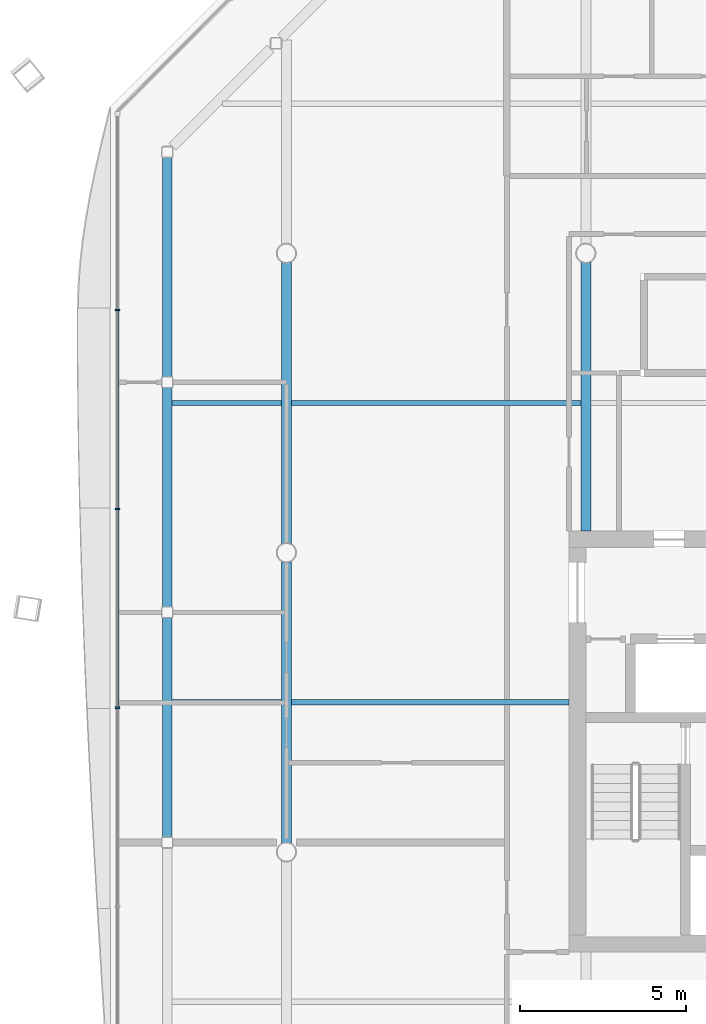
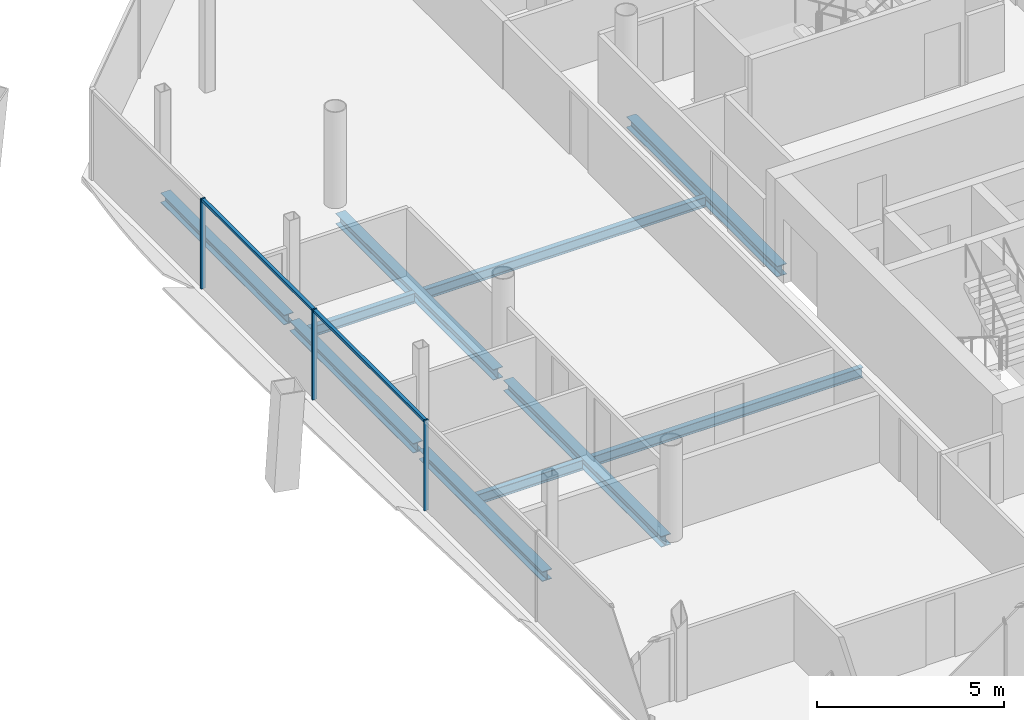
# One storey, part 6 of 20: 10 beams, 5 members, 1 element without a shape of its own.
"""IFC4 building model written with IfcOpenShell, lengths in metres."""

from ifc_helpers import new_model, si_unit, direction, frame, origin, origin_2d, place, context, subcontext, project, spatial, rectangle, i_section, extrude, material, material_profile, profile_set, type_object, element, aggregate, save


model = new_model("IFC4")

# Units and contexts
model_context = context("Model", 3, precision=1e-05, world=origin(), true_north=direction((0.0, 1.0)))
body_context = subcontext(model_context, "Body", "Model", "MODEL_VIEW")
ifc_project = project(units=[si_unit("LENGTHUNIT", "METRE"), si_unit("AREAUNIT", "SQUARE_METRE"), si_unit("VOLUMEUNIT", "CUBIC_METRE"), si_unit("PLANEANGLEUNIT", "RADIAN"), si_unit("MASSUNIT", "GRAM", prefix="KILO")], contexts=[model_context])

# Site, building, storey
site_placement = place(None, origin())
site = spatial("IfcSite", under=ifc_project, at=site_placement, CompositionType="ELEMENT")
building_placement = place(site_placement, origin())
building = spatial("IfcBuilding", under=site, at=building_placement, Name="Tskaro Facet Tower", CompositionType="ELEMENT")
storey_placement = place(building_placement, frame((0.0, 0.0, 197.39990234375)))
storey = spatial("IfcBuildingStorey", under=building, at=storey_placement, Name="L50", CompositionType="ELEMENT", Elevation=197.39990234375)

# Curtain wall, members
ifc_material_1 = material(Name="Bronze anodised aluminium 6063-T6", Category="aluminium")
curtain_wall_type = type_object("IfcCurtainWallType", Name="Bronze residence curtain wall (FW3)", PredefinedType="NOTDEFINED", material=ifc_material_1)
curtain_wall_placement = place(storey_placement, origin())
curtain_wall = element("IfcCurtainWall", 1, at=curtain_wall_placement, inside=storey, type_object=curtain_wall_type, Name="FW3 west facet L50", PredefinedType="NOTDEFINED")
ifc_material_profile_1 = material_profile(ifc_material_1, rectangle(XDim=0.050048828125, YDim=0.139892578125, at=origin_2d()), Name="Mullion 50x140")
ifc_profile_set_1 = profile_set([ifc_material_profile_1], Name="Bronze anodised aluminium 6063-T6")
member_type_1 = type_object("IfcMemberType", Name="FW3 bronze mullion 50x140", PredefinedType="MULLION", material=ifc_profile_set_1)
member_1_placement = place(storey_placement, frame((-23.080078125, 7.29248046875, 0.0), z_axis=(0.0, 0.0, 1.0), x_axis=(0.0, -1.0, 0.0)))
member_1 = element("IfcMember", 2, at=member_1_placement, type_object=member_type_1, Name="FW3 west mullion 1", PredefinedType="MULLION", context=body_context, shape_type="SweptSolid", body=[
    extrude(rectangle(XDim=0.050048828125, YDim=0.139892578125, at=origin_2d()), origin(), (0.0, 0.0, 1.0), 2.9501953125),
])
member_2_placement = place(storey_placement, frame((-23.080078125, 1.314697265625, 0.0), z_axis=(0.0, 0.0, 1.0), x_axis=(0.0, -1.0, 0.0)))
member_2 = element("IfcMember", 3, at=member_2_placement, type_object=member_type_1, Name="FW3 west mullion 2", PredefinedType="MULLION", context=body_context, shape_type="SweptSolid", body=[
    extrude(rectangle(XDim=0.050048828125, YDim=0.139892578125, at=origin_2d()), origin(), (0.0, 0.0, 1.0), 2.9501953125),
])
member_3_placement = place(storey_placement, frame((-23.080078125, -4.662841796875, 0.0), z_axis=(0.0, 0.0, 1.0), x_axis=(0.0, -1.0, 0.0)))
member_3 = element("IfcMember", 4, at=member_3_placement, type_object=member_type_1, Name="FW3 west mullion 3", PredefinedType="MULLION", context=body_context, shape_type="SweptSolid", body=[
    extrude(rectangle(XDim=0.050048828125, YDim=0.139892578125, at=origin_2d()), origin(), (0.0, 0.0, 1.0), 2.9501953125),
])
ifc_material_profile_2 = material_profile(ifc_material_1, rectangle(XDim=0.10009765625, YDim=0.090087890625, at=origin_2d()), Name="Transom 100x90")
ifc_profile_set_2 = profile_set([ifc_material_profile_2], Name="Bronze anodised aluminium 6063-T6")
member_type_2 = type_object("IfcMemberType", Name="FW3 bronze transom 100x90", PredefinedType="USERDEFINED", material=ifc_profile_set_2)
member_4_placement = place(storey_placement, frame((-23.080078125, 7.267333984375, 2.905029296875), z_axis=(0.0, -1.0, 0.0), x_axis=(1.0, 0.0, 0.0)))
member_4 = element("IfcMember", 5, at=member_4_placement, type_object=member_type_2, Name="FW3 west transom 2.1", ObjectType="TRANSOM", PredefinedType="USERDEFINED", context=body_context, shape_type="SweptSolid", body=[
    extrude(rectangle(XDim=0.10009765625, YDim=0.090087890625, at=origin_2d()), origin(), (0.0, 0.0, 1.0), 5.927490234375),
])
member_5_placement = place(storey_placement, frame((-23.080078125, 1.289794921875, 2.905029296875), z_axis=(0.0, -1.0, 0.0), x_axis=(1.0, 0.0, 0.0)))
member_5 = element("IfcMember", 6, at=member_5_placement, type_object=member_type_2, Name="FW3 west transom 3.1", ObjectType="TRANSOM", PredefinedType="USERDEFINED", context=body_context, shape_type="SweptSolid", body=[
    extrude(rectangle(XDim=0.10009765625, YDim=0.090087890625, at=origin_2d()), origin(), (0.0, 0.0, 1.0), 5.927490234375),
])
aggregate(curtain_wall, [member_1, member_2, member_3, member_4, member_5])

# Beams
ifc_material_2 = material(Name="Steel S355J2", Category="steel")
ifc_material_profile_3 = material_profile(ifc_material_2, i_section(OverallWidth=0.300048828125, OverallDepth=0.320068359375, WebThickness=0.011474609375, FlangeThickness=0.0205078125, FilletRadius=0.027099609375, at=origin_2d()), Name="HE 320 B")
ifc_profile_set_3 = profile_set([ifc_material_profile_3], Name="Steel S355J2")
beam_type_1 = type_object("IfcBeamType", Name="HE 320 B ring beam", PredefinedType="BEAM", material=ifc_profile_set_3)
beam_1_placement = place(storey_placement, frame((-21.5830078125, 11.89111328125, -0.2998046875), z_axis=(0.0, -1.0, 0.0), x_axis=(1.0, 0.0, 0.0)))
element("IfcBeam", 7, at=beam_1_placement, inside=storey, type_object=beam_type_1, Name="HE 320 B EB17-4", PredefinedType="BEAM", context=body_context, shape_type="SweptSolid", body=[
    extrude(i_section(OverallWidth=0.300048828125, OverallDepth=0.320068359375, WebThickness=0.011474609375, FlangeThickness=0.0205078125, FilletRadius=0.027099609375, at=origin_2d()), origin(), (0.0, 0.0, 1.0), 6.610107421875),
])
beam_2_placement = place(storey_placement, frame((-21.5830078125, 4.970947265625, -0.2998046875), z_axis=(0.0, -1.0, 0.0), x_axis=(1.0, 0.0, 0.0)))
element("IfcBeam", 8, at=beam_2_placement, inside=storey, type_object=beam_type_1, Name="HE 320 B EB18-4", PredefinedType="BEAM", context=body_context, shape_type="SweptSolid", body=[
    extrude(i_section(OverallWidth=0.300048828125, OverallDepth=0.320068359375, WebThickness=0.011474609375, FlangeThickness=0.0205078125, FilletRadius=0.027099609375, at=origin_2d()), origin(), (0.0, 0.0, 1.0), 6.60888671875),
])
beam_3_placement = place(storey_placement, frame((-21.5830078125, -1.947998046875, -0.2998046875), z_axis=(0.0, -1.0, 0.0), x_axis=(1.0, 0.0, 0.0)))
element("IfcBeam", 9, at=beam_3_placement, inside=storey, type_object=beam_type_1, Name="HE 320 B EB19-4", PredefinedType="BEAM", context=body_context, shape_type="SweptSolid", body=[
    extrude(i_section(OverallWidth=0.300048828125, OverallDepth=0.320068359375, WebThickness=0.011474609375, FlangeThickness=0.0205078125, FilletRadius=0.027099609375, at=origin_2d()), origin(), (0.0, 0.0, 1.0), 6.610107421875),
])
ifc_material_profile_4 = material_profile(ifc_material_2, i_section(OverallWidth=0.300048828125, OverallDepth=0.35009765625, WebThickness=0.010009765625, FlangeThickness=0.017578125, FilletRadius=0.027099609375, at=origin_2d()), Name="HE 360 A")
ifc_profile_set_4 = profile_set([ifc_material_profile_4], Name="Steel S355J2")
beam_type_2 = type_object("IfcBeamType", Name="HE 360 A girder", PredefinedType="BEAM", material=ifc_profile_set_4)
for number, where, z_axis, x_axis, name in (
    (10, (-18.0, -8.72509765625, -0.31494140625), (0.0, 1.0, 0.0), (-1.0, 0.0, 0.0), "HE 360 A GB2-2-4"),
    (11, (-18.0, 0.27490234375, -0.31494140625), (0.0, 1.0, 0.0), (-1.0, 0.0, 0.0), "HE 360 A GB2-3-4"),
):
    element("IfcBeam", number, at=place(storey_placement, frame(where, z_axis=z_axis, x_axis=x_axis)), inside=storey, type_object=beam_type_2, Name=name, PredefinedType="BEAM", context=body_context, shape_type="SweptSolid", body=[
        extrude(i_section(OverallWidth=0.300048828125, OverallDepth=0.35009765625, WebThickness=0.010009765625, FlangeThickness=0.017578125, FilletRadius=0.027099609375, at=origin_2d()), origin(), (0.0, 0.0, 1.0), 8.4501953125),
    ])
beam_4_placement = place(storey_placement, frame((-9.0, 0.64990234375, -0.31494140625), z_axis=(0.0, 1.0, 0.0), x_axis=(-1.0, 0.0, 0.0)))
element("IfcBeam", 12, at=beam_4_placement, inside=storey, type_object=beam_type_2, Name="HE 360 A GB3-2-4", PredefinedType="BEAM", context=body_context, shape_type="SweptSolid", body=[
    extrude(i_section(OverallWidth=0.300048828125, OverallDepth=0.35009765625, WebThickness=0.010009765625, FlangeThickness=0.017578125, FilletRadius=0.027099609375, at=origin_2d()), origin(), (0.0, 0.0, 1.0), 8.0751953125),
])
ifc_material_profile_5 = material_profile(ifc_material_2, i_section(OverallWidth=0.159912109375, OverallDepth=0.330078125, WebThickness=0.007568359375, FlangeThickness=0.011474609375, FilletRadius=0.01806640625, at=origin_2d()), Name="IPE 330")
ifc_profile_set_5 = profile_set([ifc_material_profile_5], Name="Steel S355J2")
beam_type_3 = type_object("IfcBeamType", Name="IPE 330 secondary beam", PredefinedType="BEAM", material=ifc_profile_set_5)
beam_5_placement = place(storey_placement, frame((-21.43310546875, -4.5, -0.304931640625), z_axis=(1.0, 0.0, 0.0), x_axis=(0.0, 1.0, 0.0)))
element("IfcBeam", 13, at=beam_5_placement, inside=storey, type_object=beam_type_3, Name="IPE 330 SB3a-1-4", PredefinedType="BEAM", context=body_context, shape_type="SweptSolid", body=[
    extrude(i_section(OverallWidth=0.159912109375, OverallDepth=0.330078125, WebThickness=0.007568359375, FlangeThickness=0.011474609375, FilletRadius=0.01806640625, at=origin_2d()), origin(), (0.0, 0.0, 1.0), 3.283203125),
])
beam_6_placement = place(storey_placement, frame((-17.85009765625, -4.5, -0.304931640625), z_axis=(1.0, 0.0, 0.0), x_axis=(0.0, 1.0, 0.0)))
element("IfcBeam", 14, at=beam_6_placement, inside=storey, type_object=beam_type_3, Name="IPE 330 SB3a-2-4", PredefinedType="BEAM", context=body_context, shape_type="SweptSolid", body=[
    extrude(i_section(OverallWidth=0.159912109375, OverallDepth=0.330078125, WebThickness=0.007568359375, FlangeThickness=0.011474609375, FilletRadius=0.01806640625, at=origin_2d()), origin(), (0.0, 0.0, 1.0), 8.35009765625),
])
beam_7_placement = place(storey_placement, frame((-21.43310546875, 4.5, -0.304931640625), z_axis=(1.0, 0.0, 0.0), x_axis=(0.0, 1.0, 0.0)))
element("IfcBeam", 15, at=beam_7_placement, inside=storey, type_object=beam_type_3, Name="IPE 330 SB4a-1-4", PredefinedType="BEAM", context=body_context, shape_type="SweptSolid", body=[
    extrude(i_section(OverallWidth=0.159912109375, OverallDepth=0.330078125, WebThickness=0.007568359375, FlangeThickness=0.011474609375, FilletRadius=0.01806640625, at=origin_2d()), origin(), (0.0, 0.0, 1.0), 3.283203125),
])
beam_8_placement = place(storey_placement, frame((-17.85009765625, 4.5, -0.304931640625), z_axis=(1.0, 0.0, 0.0), x_axis=(0.0, 1.0, 0.0)))
element("IfcBeam", 16, at=beam_8_placement, inside=storey, type_object=beam_type_3, Name="IPE 330 SB4a-2-4", PredefinedType="BEAM", context=body_context, shape_type="SweptSolid", body=[
    extrude(i_section(OverallWidth=0.159912109375, OverallDepth=0.330078125, WebThickness=0.007568359375, FlangeThickness=0.011474609375, FilletRadius=0.01806640625, at=origin_2d()), origin(), (0.0, 0.0, 1.0), 8.7001953125),
])

save(model, "model.ifc")
